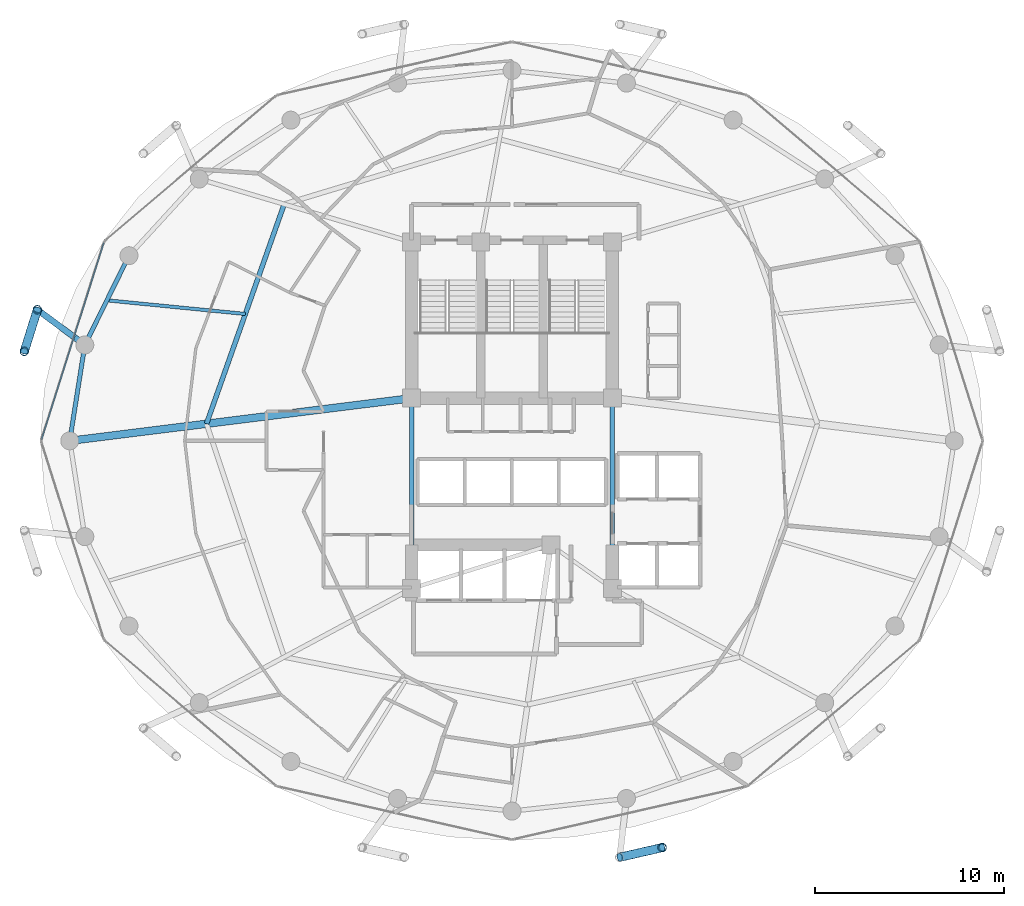
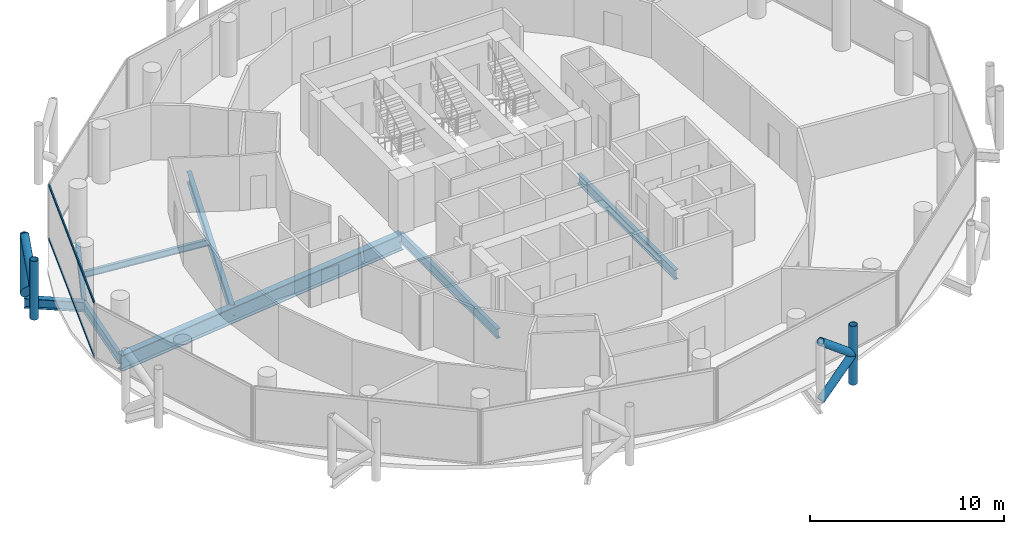
# One storey, part 7 of 26: 9 members, 8 beams, 1 element without a shape of its own.
"""IFC4 building model written with IfcOpenShell, lengths in metres."""

from ifc_helpers import new_model, si_unit, direction, frame, origin, origin_2d, place, context, subcontext, project, spatial, hollow_rectangle, hollow_circle, i_section, extrude, material, layer, layer_set, material_profile, profile_set, type_object, element, aggregate, save


model = new_model("IFC4")

# Units and contexts
model_context = context("Model", 3, precision=1e-05, world=origin(), true_north=direction((0.0, 1.0)))
body_context = subcontext(model_context, "Body", "Model", "MODEL_VIEW")
ifc_project = project(units=[si_unit("LENGTHUNIT", "METRE"), si_unit("AREAUNIT", "SQUARE_METRE"), si_unit("VOLUMEUNIT", "CUBIC_METRE"), si_unit("PLANEANGLEUNIT", "RADIAN"), si_unit("MASSUNIT", "GRAM", prefix="KILO")], contexts=[model_context])

# Site, building, storey
site_placement = place(None, origin())
site = spatial("IfcSite", under=ifc_project, at=site_placement, CompositionType="ELEMENT")
building_placement = place(site_placement, origin())
building = spatial("IfcBuilding", under=site, at=building_placement, Name="Nuhasar Tower", CompositionType="ELEMENT")
storey_placement = place(building_placement, frame((0.0, 0.0, 166.35009765625)))
storey = spatial("IfcBuildingStorey", under=building, at=storey_placement, Name="L40", CompositionType="ELEMENT", Elevation=166.35009765625)

# Beams
ifc_material_1 = material(Name="Steel S355", Category="steel")
ifc_material_profile_1 = material_profile(ifc_material_1, i_section(OverallWidth=0.25390625, OverallDepth=0.68408203125, WebThickness=0.012451171875, FlangeThickness=0.018798828125, at=origin_2d()), Name="W27X94")
ifc_profile_set_1 = profile_set([ifc_material_profile_1], Name="Steel S355")
beam_type_1 = type_object("IfcBeamType", Name="BM-INRING-W27X94", PredefinedType="BEAM", material=ifc_profile_set_1)
beam_1_placement = place(storey_placement, frame((26.972900390625, 39.2939453125, -0.592041015625), z_axis=(-0.333599821096, -0.942714781556, 0.0), x_axis=(0.942714781556, -0.333599821096, 0.0)))
element("IfcBeam", 1, at=beam_1_placement, inside=storey, type_object=beam_type_1, Name="L40 Inner Header Beam 07", PredefinedType="BEAM", context=body_context, shape_type="SweptSolid", body=[
    extrude(i_section(OverallWidth=0.25390625, OverallDepth=0.68408203125, WebThickness=0.012451171875, FlangeThickness=0.018798828125, at=origin_2d()), origin(), (0.0, 0.0, 1.0), 12.298583984375),
])
ifc_material_profile_2 = material_profile(ifc_material_1, i_section(OverallWidth=0.177978515625, OverallDepth=0.406005859375, WebThickness=0.0078125, FlangeThickness=0.0126953125, at=origin_2d()), Name="W16X40")
ifc_profile_set_2 = profile_set([ifc_material_profile_2], Name="Steel S355")
beam_type_2 = type_object("IfcBeamType", Name="BM-JST-W16X40", PredefinedType="JOIST", material=ifc_profile_set_2)
beam_2_placement = place(storey_placement, frame((24.922119140625, 33.4970703125, -0.453125), z_axis=(-0.995171845755, 0.098147834497, 0.0), x_axis=(-0.098147834497, -0.995171845755, 0.0)))
element("IfcBeam", 2, at=beam_2_placement, inside=storey, type_object=beam_type_2, Name="L40 Secondary Floor Joist 07", PredefinedType="JOIST", context=body_context, shape_type="SweptSolid", body=[
    extrude(i_section(OverallWidth=0.177978515625, OverallDepth=0.406005859375, WebThickness=0.0078125, FlangeThickness=0.0126953125, at=origin_2d()), origin(), (0.0, 0.0, 1.0), 7.345458984375),
])
ifc_material_profile_3 = material_profile(ifc_material_1, i_section(OverallWidth=0.22900390625, OverallDepth=0.612060546875, WebThickness=0.011962890625, FlangeThickness=0.01953125, at=origin_2d()), Name="W24X84")
ifc_profile_set_3 = profile_set([ifc_material_profile_3], Name="Steel S355")
beam_type_3 = type_object("IfcBeamType", Name="BM-RAD-W24X84", PredefinedType="BEAM", material=ifc_profile_set_3)
for number, where, z_axis, x_axis, name in (
    (3, (44.300048828125, 19.0, -0.55615234375), (0.0, 1.0, 0.0), (-1.0, 0.0, 0.0), "L40 Core Ring Girder 3"),
    (4, (33.699951171875, 29.050048828125, -0.55615234375), (0.0, -1.0, 0.0), (1.0, 0.0, 0.0), "L40 Core Ring Girder 8"),
):
    element("IfcBeam", number, at=place(storey_placement, frame(where, z_axis=z_axis, x_axis=x_axis)), inside=storey, type_object=beam_type_3, Name=name, PredefinedType="BEAM", context=body_context, shape_type="SweptSolid", body=[
        extrude(i_section(OverallWidth=0.22900390625, OverallDepth=0.612060546875, WebThickness=0.011962890625, FlangeThickness=0.01953125, at=origin_2d()), origin(), (0.0, 0.0, 1.0), 10.050048828125),
    ])
ifc_material_profile_4 = material_profile(ifc_material_1, i_section(OverallWidth=0.22998046875, OverallDepth=0.616943359375, WebThickness=0.01318359375, FlangeThickness=0.022216796875, at=origin_2d()), Name="W24X94")
ifc_profile_set_4 = profile_set([ifc_material_profile_4], Name="Steel S355")
beam_type_4 = type_object("IfcBeamType", Name="BM-RING-W24X94", PredefinedType="SPANDREL", material=ifc_profile_set_4)
beam_3_placement = place(storey_placement, frame((18.778076171875, 36.574951171875, -0.55908203125), z_axis=(-0.443347771709, -0.896349682501, 0.0), x_axis=(0.896349682501, -0.443347771709, 0.0)))
element("IfcBeam", 5, at=beam_3_placement, inside=storey, type_object=beam_type_4, Name="L40 Perimeter Ring Spandrel 11", PredefinedType="SPANDREL", context=body_context, shape_type="SweptSolid", body=[
    extrude(i_section(OverallWidth=0.22998046875, OverallDepth=0.616943359375, WebThickness=0.01318359375, FlangeThickness=0.022216796875, at=origin_2d()), origin(), (0.0, 0.0, 1.0), 5.260009765625),
])
beam_4_placement = place(storey_placement, frame((16.446044921875, 31.860107421875, -0.55908203125), z_axis=(-0.155426543608, -0.987847452566, 0.0), x_axis=(0.987847452566, -0.155426543608, 0.0)))
element("IfcBeam", 6, at=beam_4_placement, inside=storey, type_object=beam_type_4, Name="L40 Perimeter Ring Spandrel 12", PredefinedType="SPANDREL", context=body_context, shape_type="SweptSolid", body=[
    extrude(i_section(OverallWidth=0.22998046875, OverallDepth=0.616943359375, WebThickness=0.01318359375, FlangeThickness=0.022216796875, at=origin_2d()), origin(), (0.0, 0.0, 1.0), 5.122314453125),
])
ifc_material_profile_5 = material_profile(ifc_material_1, i_section(OverallWidth=0.323974609375, OverallDepth=0.611083984375, WebThickness=0.0126953125, FlangeThickness=0.01904296875, at=origin_2d()), Name="W24X104")
ifc_profile_set_5 = profile_set([ifc_material_profile_5], Name="Steel S355")
beam_type_5 = type_object("IfcBeamType", Name="BM-TIE-W24X104", PredefinedType="BEAM", material=ifc_profile_set_5)
beam_5_placement = place(storey_placement, frame((16.446044921875, 31.860107421875, -0.55615234375), z_axis=(-0.802872198291, 0.596151183183, 0.0), x_axis=(-0.596151183183, -0.802872198291, 0.0)))
element("IfcBeam", 7, at=beam_5_placement, inside=storey, type_object=beam_type_5, Name="L40 Exoskeleton Node Tie Beam 06", PredefinedType="BEAM", context=body_context, shape_type="SweptSolid", body=[
    extrude(i_section(OverallWidth=0.323974609375, OverallDepth=0.611083984375, WebThickness=0.0126953125, FlangeThickness=0.01904296875, at=origin_2d()), origin(), (0.0, 0.0, 1.0), 3.121337890625),
])
ifc_material_2 = material(Name="Steel S460", Category="steel")
ifc_material_profile_6 = material_profile(ifc_material_2, i_section(OverallWidth=0.40087890625, OverallDepth=1.010009765625, WebThickness=0.023681640625, FlangeThickness=0.0419921875, at=origin_2d()), Name="W40X297")
ifc_profile_set_6 = profile_set([ifc_material_profile_6], Name="Steel S460")
beam_type_6 = type_object("IfcBeamType", Name="BM-XFER-W40X297", PredefinedType="USERDEFINED", material=ifc_profile_set_6)
beam_6_placement = place(storey_placement, frame((33.699951171875, 29.050048828125, -0.755126953125), z_axis=(-0.992320149485, -0.123696082908, 0.0), x_axis=(0.123696082908, -0.992320149485, 0.0)))
element("IfcBeam", 8, at=beam_6_placement, inside=storey, type_object=beam_type_6, Name="L40 Radial Floor Girder 08", ObjectType="GIRDER", PredefinedType="USERDEFINED", context=body_context, shape_type="SweptSolid", body=[
    extrude(i_section(OverallWidth=0.40087890625, OverallDepth=1.010009765625, WebThickness=0.023681640625, FlangeThickness=0.0419921875, at=origin_2d()), origin(), (0.0, 0.0, 1.0), 18.189697265625),
])

# Curtain wall, members
ifc_material_3 = material(Name="Aluminium 6063-T6", Category="aluminium")
ifc_layer = layer(ifc_material_3, 0.199951171875)
ifc_layer_set = layer_set([ifc_layer], Name="Aluminium 6063-T6")
curtain_wall_type = type_object("IfcCurtainWallType", Name="CW-Z2-HTL", PredefinedType="NOTDEFINED", material=ifc_layer_set)
curtain_wall_placement = place(storey_placement, origin())
curtain_wall = element("IfcCurtainWall", 9, at=curtain_wall_placement, inside=storey, type_object=curtain_wall_type, Name="L40 Unitised Curtain Wall 06", PredefinedType="NOTDEFINED")
ifc_material_profile_7 = material_profile(ifc_material_3, hollow_rectangle(XDim=0.070068359375, YDim=0.159912109375, WallThickness=0.00439453125, at=origin_2d()), Name="CWT-3")
ifc_profile_set_7 = profile_set([ifc_material_profile_7], Name="Aluminium 6063-T6")
member_type_1 = type_object("IfcMemberType", Name="CW-TRN-S3", PredefinedType="USERDEFINED", material=ifc_profile_set_7)
member_1_placement = place(storey_placement, frame((17.449951171875, 37.26318359375, 0.034912109375), z_axis=(-0.301608163352, -0.953431967053, 0.0), x_axis=(0.953431967053, -0.301608163352, 0.0)))
member_1 = element("IfcMember", 10, at=member_1_placement, type_object=member_type_1, Name="CW-Z2 transom 1.1", ObjectType="TRANSOM", PredefinedType="USERDEFINED", context=body_context, shape_type="SweptSolid", body=[
    extrude(hollow_rectangle(XDim=0.070068359375, YDim=0.159912109375, WallThickness=0.00439453125, at=origin_2d()), origin(), (0.0, 0.0, 1.0), 10.904296875),
])
member_2_placement = place(storey_placement, frame((17.449951171875, 37.26318359375, 3.414794921875), z_axis=(-0.301608163352, -0.953431967053, 0.0), x_axis=(0.953431967053, -0.301608163352, 0.0)))
member_2 = element("IfcMember", 11, at=member_2_placement, type_object=member_type_1, Name="CW-Z2 transom 1.2", ObjectType="TRANSOM", PredefinedType="USERDEFINED", context=body_context, shape_type="SweptSolid", body=[
    extrude(hollow_rectangle(XDim=0.070068359375, YDim=0.159912109375, WallThickness=0.00439453125, at=origin_2d()), origin(), (0.0, 0.0, 1.0), 10.904296875),
])
aggregate(curtain_wall, [member_1, member_2])

# Members
ifc_material_profile_8 = material_profile(ifc_material_2, hollow_circle(Radius=0.228515625, WallThickness=0.022216796875, at=origin_2d()), Name="HSS457X22.2")
ifc_profile_set_8 = profile_set([ifc_material_profile_8], Name="Steel S460")
member_type_2 = type_object("IfcMemberType", Name="EXO-BRONZE-457", PredefinedType="BRACE", material=ifc_profile_set_8)
for number, where, z_axis, x_axis, name in (
    (12, (13.93994140625, 33.720947265625, 0.0), (0.0, 0.0, 1.0), (1.0, 0.0, 0.0), "L40 Exoskeleton Chord Column EC-06A"),
    (13, (13.251953125, 31.52587890625, 0.0), (0.0, 0.0, 1.0), (1.0, 0.0, 0.0), "L40 Exoskeleton Chord Column EC-06B"),
    (14, (46.927978515625, 5.323974609375, 0.0), (0.0, 0.0, 1.0), (1.0, 0.0, 0.0), "L40 Exoskeleton Chord Column EC-10B"),
):
    element("IfcMember", number, at=place(storey_placement, frame(where, z_axis=z_axis, x_axis=x_axis)), inside=storey, type_object=member_type_2, Name=name, PredefinedType="BRACE", context=body_context, shape_type="SweptSolid", body=[
        extrude(hollow_circle(Radius=0.228515625, WallThickness=0.022216796875, at=origin_2d()), origin(), (0.0, 0.0, 1.0), 3.699951171875),
    ])
member_3_placement = place(storey_placement, frame((13.93994140625, 33.720947265625, 0.0), z_axis=(-0.233067628236, -0.74361641074, 0.626669062861), x_axis=(0.954228474306, -0.29907861646, 0.0)))
element("IfcMember", 15, at=member_3_placement, inside=storey, type_object=member_type_2, Name="L40 Bronze Diagrid Brace W1-06", PredefinedType="BRACE", context=body_context, shape_type="SweptSolid", body=[
    extrude(hollow_circle(Radius=0.228515625, WallThickness=0.022216796875, at=origin_2d()), origin(), (0.0, 0.0, 1.0), 2.951904296875),
])
member_4_placement = place(storey_placement, frame((13.251953125, 31.52587890625, 1.849853515625), z_axis=(0.233055548538, 0.743577869731, 0.626719285599), x_axis=(-0.954228474306, 0.29907861646, 0.0)))
element("IfcMember", 16, at=member_4_placement, inside=storey, type_object=member_type_2, Name="L40 Bronze Diagrid Brace W2-06", PredefinedType="BRACE", context=body_context, shape_type="SweptSolid", body=[
    extrude(hollow_circle(Radius=0.228515625, WallThickness=0.022216796875, at=origin_2d()), origin(), (0.0, 0.0, 1.0), 2.9521484375),
])
member_5_placement = place(storey_placement, frame((44.68603515625, 4.81005859375, 0.0), z_axis=(0.759549860492, 0.174110035537, 0.626713415327), x_axis=(-0.223432882746, 0.974719316987, 0.0)))
element("IfcMember", 17, at=member_5_placement, inside=storey, type_object=member_type_2, Name="L40 Bronze Diagrid Brace W1-10", PredefinedType="BRACE", context=body_context, shape_type="SweptSolid", body=[
    extrude(hollow_circle(Radius=0.228515625, WallThickness=0.022216796875, at=origin_2d()), origin(), (0.0, 0.0, 1.0), 2.95166015625),
])
member_6_placement = place(storey_placement, frame((46.927978515625, 5.323974609375, 1.849853515625), z_axis=(-0.759510488094, -0.174101010284, 0.626763637022), x_axis=(0.223432882746, -0.974719316987, 0.0)))
element("IfcMember", 18, at=member_6_placement, inside=storey, type_object=member_type_2, Name="L40 Bronze Diagrid Brace W2-10", PredefinedType="BRACE", context=body_context, shape_type="SweptSolid", body=[
    extrude(hollow_circle(Radius=0.228515625, WallThickness=0.022216796875, at=origin_2d()), origin(), (0.0, 0.0, 1.0), 2.951904296875),
])

save(model, "model.ifc")
